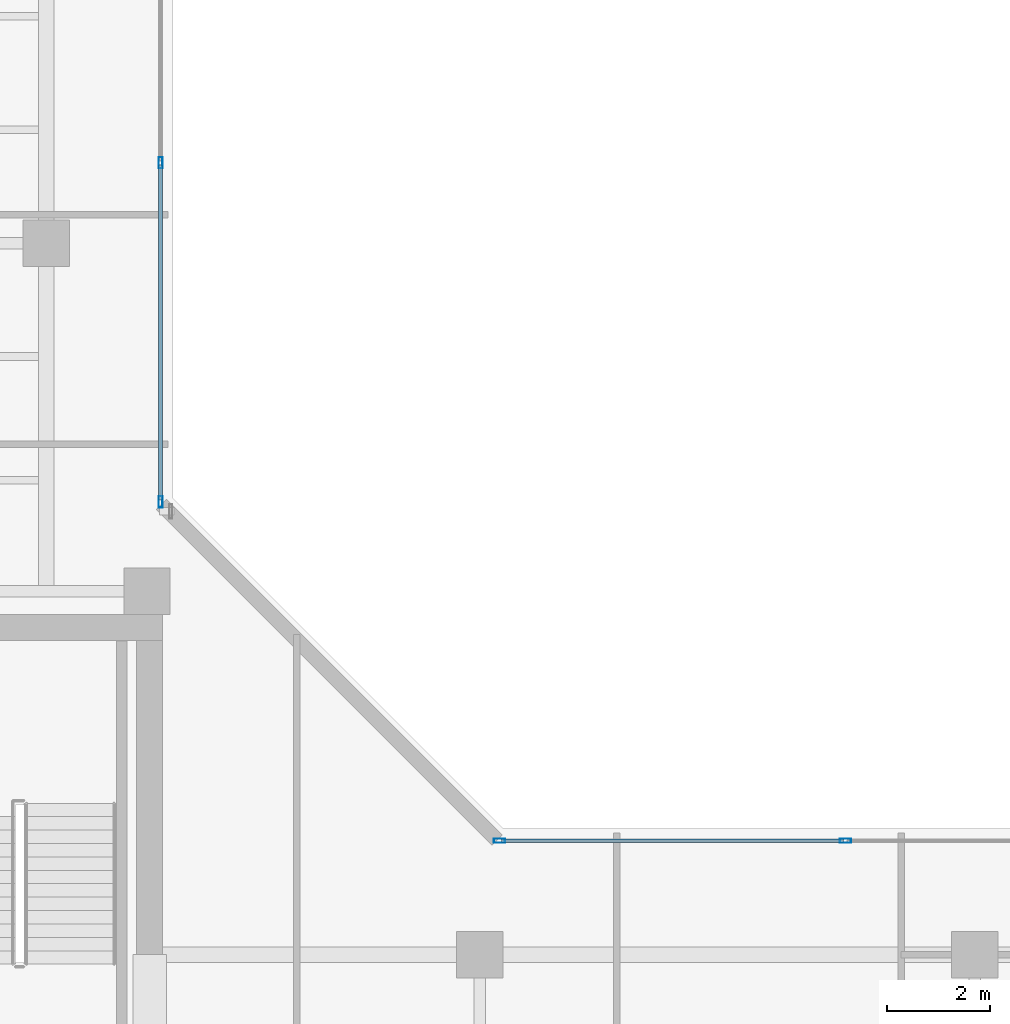
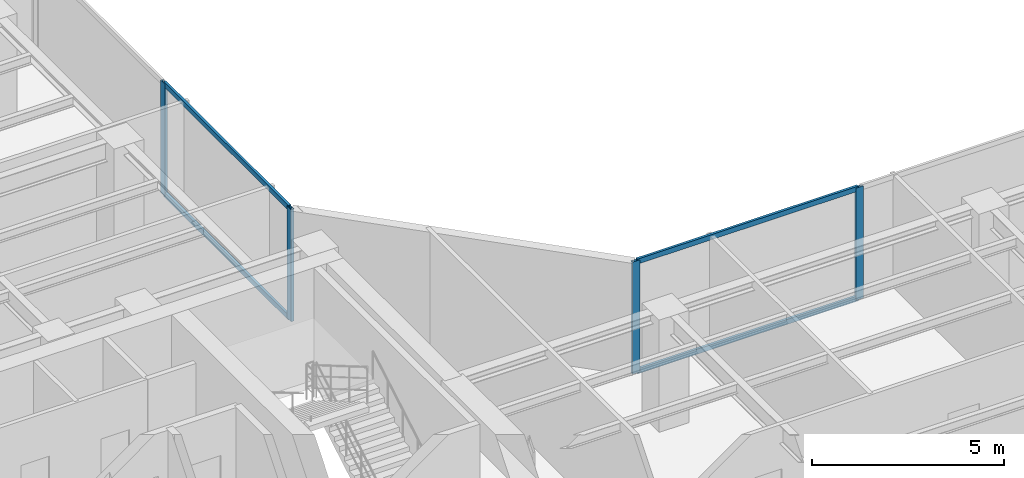
# One storey, part 10 of 24: 8 members, 2 elements without a shape of their own.
"""IFC4 building model written with IfcOpenShell, lengths in metres."""

from ifc_helpers import new_model, si_unit, direction, frame, origin, origin_with_axes, origin_2d, place, context, subcontext, project, spatial, hollow_rectangle, extrude, source, transform, mapped, material, layer, layer_set, material_profile, profile_set, type_object, element, aggregate, save


model = new_model("IFC4")

# Units and contexts
model_context = context("Model", 3, precision=1e-05, world=origin(), true_north=direction((0.0, 1.0)))
body_context = subcontext(model_context, "Body", "Model", "MODEL_VIEW")
ifc_project = project(units=[si_unit("LENGTHUNIT", "METRE"), si_unit("AREAUNIT", "SQUARE_METRE"), si_unit("VOLUMEUNIT", "CUBIC_METRE"), si_unit("PLANEANGLEUNIT", "RADIAN"), si_unit("MASSUNIT", "GRAM", prefix="KILO")], contexts=[model_context])

# Site, building, storey
site_placement = place(None, origin())
site = spatial("IfcSite", under=ifc_project, at=site_placement, CompositionType="ELEMENT")
building_placement = place(site_placement, origin())
building = spatial("IfcBuilding", under=site, at=building_placement, Name="Kolvaren Waterfront Exchange", CompositionType="ELEMENT")
storey_placement = place(building_placement, frame((0.0, 0.0, 316.0)))
storey = spatial("IfcBuildingStorey", under=building, at=storey_placement, Name="L81", CompositionType="ELEMENT", Elevation=316.0)

# Curtain wall, members
ifc_material_1 = material(Name="Anodised bronze aluminium 6063-T6", Category="aluminium")
ifc_layer = layer(ifc_material_1, 0.219970703125, Name="Anodised bronze aluminium 6063-T6")
ifc_layer_set = layer_set([ifc_layer], Name="Anodised bronze aluminium 6063-T6")
curtain_wall_type = type_object("IfcCurtainWallType", Name="ARC-CW-SYS1", PredefinedType="USERDEFINED", material=ifc_layer_set)
curtain_wall_1_placement = place(storey_placement, origin())
curtain_wall_1 = element("IfcCurtainWall", 1, at=curtain_wall_1_placement, inside=storey, type_object=curtain_wall_type, Name="L81 stick curtain wall CW1 (CW-L81-NE)", ObjectType="STICK CURTAIN WALL", PredefinedType="USERDEFINED")
ifc_material_2 = material(Name="Anodised aluminium 6063-T6", Category="aluminium")
ifc_material_profile_1 = material_profile(ifc_material_2, hollow_rectangle(XDim=0.080078125, YDim=0.219970703125, WallThickness=0.0048828125, at=origin_2d()), Name="ALU-MUL-220x80x5")
ifc_profile_set_1 = profile_set([ifc_material_profile_1], Name="Anodised aluminium 6063-T6")
member_type_1 = type_object("IfcMemberType", Name="ARC-CWM-220", PredefinedType="MULLION", material=ifc_profile_set_1)
shared_shape_1 = source(origin_with_axes(), body_context, "Body", "SweptSolid", [
    extrude(hollow_rectangle(XDim=0.080078125, YDim=0.219970703125, WallThickness=0.0048828125, at=origin_2d()), origin(), (0.0, 0.0, 1.0), 3.56005859375),
])
member_1_placement = place(storey_placement, frame((21.0126953125, 26.1826171875, 0.0), z_axis=(0.0, 0.0, 1.0), x_axis=(-1.0, 0.0, 0.0)))
member_1 = element("IfcMember", 2, at=member_1_placement, type_object=member_type_1, Name="CW1 mullion 1", PredefinedType="MULLION", context=body_context, shape_type="MappedRepresentation", body=[
    mapped(shared_shape_1, transform((0.0, 0.0, 0.0), x_axis=(1.0, 0.0, 0.0), y_axis=(0.0, 1.0, 0.0), z_axis=(0.0, 0.0, 1.0), scale=1.0)),
])
member_2_placement = place(storey_placement, frame((21.0126953125, 32.75634765625, 0.0), z_axis=(0.0, 0.0, 1.0), x_axis=(-1.0, 0.0, 0.0)))
member_2 = element("IfcMember", 3, at=member_2_placement, type_object=member_type_1, Name="CW1 mullion 2", PredefinedType="MULLION", context=body_context, shape_type="MappedRepresentation", body=[
    mapped(shared_shape_1, transform((0.0, 0.0, 0.0), x_axis=(1.0, 0.0, 0.0), y_axis=(0.0, 1.0, 0.0), z_axis=(0.0, 0.0, 1.0), scale=1.0)),
])

curtain_wall_2_placement = place(storey_placement, origin())
curtain_wall_2 = element("IfcCurtainWall", 4, at=curtain_wall_2_placement, inside=storey, type_object=curtain_wall_type, Name="L81 stick curtain wall CW1 (CW-L81-EN)", ObjectType="STICK CURTAIN WALL", PredefinedType="USERDEFINED")
member_3_placement = place(storey_placement, frame((27.58251953125, 19.612548828125, 0.0), z_axis=(0.0, 0.0, 1.0), x_axis=(0.0, 1.0, 0.0)))
member_3 = element("IfcMember", 5, at=member_3_placement, type_object=member_type_1, Name="CW1 mullion 1", PredefinedType="MULLION", context=body_context, shape_type="MappedRepresentation", body=[
    mapped(shared_shape_1, transform((0.0, 0.0, 0.0), x_axis=(1.0, 0.0, 0.0), y_axis=(0.0, 1.0, 0.0), z_axis=(0.0, 0.0, 1.0), scale=1.0)),
])
member_4_placement = place(storey_placement, frame((34.289794921875, 19.612548828125, 0.0), z_axis=(0.0, 0.0, 1.0), x_axis=(0.0, 1.0, 0.0)))
member_4 = element("IfcMember", 6, at=member_4_placement, type_object=member_type_1, Name="CW1 mullion 2", PredefinedType="MULLION", context=body_context, shape_type="MappedRepresentation", body=[
    mapped(shared_shape_1, transform((0.0, 0.0, 0.0), x_axis=(1.0, 0.0, 0.0), y_axis=(0.0, 1.0, 0.0), z_axis=(0.0, 0.0, 1.0), scale=1.0)),
])

# Member
ifc_material_profile_2 = material_profile(ifc_material_2, hollow_rectangle(XDim=0.074951171875, YDim=0.159912109375, WallThickness=0.00439453125, at=origin_2d()), Name="ALU-TRN-160x75x4.5")
ifc_profile_set_2 = profile_set([ifc_material_profile_2], Name="Anodised aluminium 6063-T6")
member_type_2 = type_object("IfcMemberType", Name="ARC-CWT-160", PredefinedType="USERDEFINED", material=ifc_profile_set_2)
shared_shape_2 = source(origin_with_axes(), body_context, "Body", "SweptSolid", [
    extrude(hollow_rectangle(XDim=0.074951171875, YDim=0.159912109375, WallThickness=0.00439453125, at=origin_2d()), origin(), (0.0, 0.0, 1.0), 6.493896484375),
])
member_5_placement = place(storey_placement, frame((21.0126953125, 26.22265625, 0.03759765625), z_axis=(0.0, 1.0, 0.0), x_axis=(-1.0, 0.0, 0.0)))
member_5 = element("IfcMember", 7, at=member_5_placement, type_object=member_type_2, Name="CW1 transom 1.1", ObjectType="TRANSOM", PredefinedType="USERDEFINED", context=body_context, shape_type="MappedRepresentation", body=[
    mapped(shared_shape_2, transform((0.0, 0.0, 0.0), x_axis=(1.0, 0.0, 0.0), y_axis=(0.0, 1.0, 0.0), z_axis=(0.0, 0.0, 1.0), scale=1.0)),
])

member_6_placement = place(storey_placement, frame((21.0126953125, 26.22265625, 3.5224609375), z_axis=(0.0, 1.0, 0.0), x_axis=(-1.0, 0.0, 0.0)))
member_6 = element("IfcMember", 8, at=member_6_placement, type_object=member_type_2, Name="CW1 transom 1.2", ObjectType="TRANSOM", PredefinedType="USERDEFINED", context=body_context, shape_type="MappedRepresentation", body=[
    mapped(shared_shape_2, transform((0.0, 0.0, 0.0), x_axis=(1.0, 0.0, 0.0), y_axis=(0.0, 1.0, 0.0), z_axis=(0.0, 0.0, 1.0), scale=1.0)),
])

aggregate(curtain_wall_1, [member_1, member_2, member_5, member_6])

shared_shape_3 = source(origin_with_axes(), body_context, "Body", "SweptSolid", [
    extrude(hollow_rectangle(XDim=0.074951171875, YDim=0.159912109375, WallThickness=0.00439453125, at=origin_2d()), origin(), (0.0, 0.0, 1.0), 6.627197265625),
])
member_7_placement = place(storey_placement, frame((27.62255859375, 19.612548828125, 0.03759765625), z_axis=(1.0, 0.0, 0.0), x_axis=(0.0, 1.0, 0.0)))
member_7 = element("IfcMember", 9, at=member_7_placement, type_object=member_type_2, Name="CW1 transom 1.1", ObjectType="TRANSOM", PredefinedType="USERDEFINED", context=body_context, shape_type="MappedRepresentation", body=[
    mapped(shared_shape_3, transform((0.0, 0.0, 0.0), x_axis=(1.0, 0.0, 0.0), y_axis=(0.0, 1.0, 0.0), z_axis=(0.0, 0.0, 1.0), scale=1.0)),
])

member_8_placement = place(storey_placement, frame((27.62255859375, 19.612548828125, 3.5224609375), z_axis=(1.0, 0.0, 0.0), x_axis=(0.0, 1.0, 0.0)))
member_8 = element("IfcMember", 10, at=member_8_placement, type_object=member_type_2, Name="CW1 transom 1.2", ObjectType="TRANSOM", PredefinedType="USERDEFINED", context=body_context, shape_type="MappedRepresentation", body=[
    mapped(shared_shape_3, transform((0.0, 0.0, 0.0), x_axis=(1.0, 0.0, 0.0), y_axis=(0.0, 1.0, 0.0), z_axis=(0.0, 0.0, 1.0), scale=1.0)),
])

aggregate(curtain_wall_2, [member_3, member_4, member_7, member_8])

save(model, "model.ifc")
